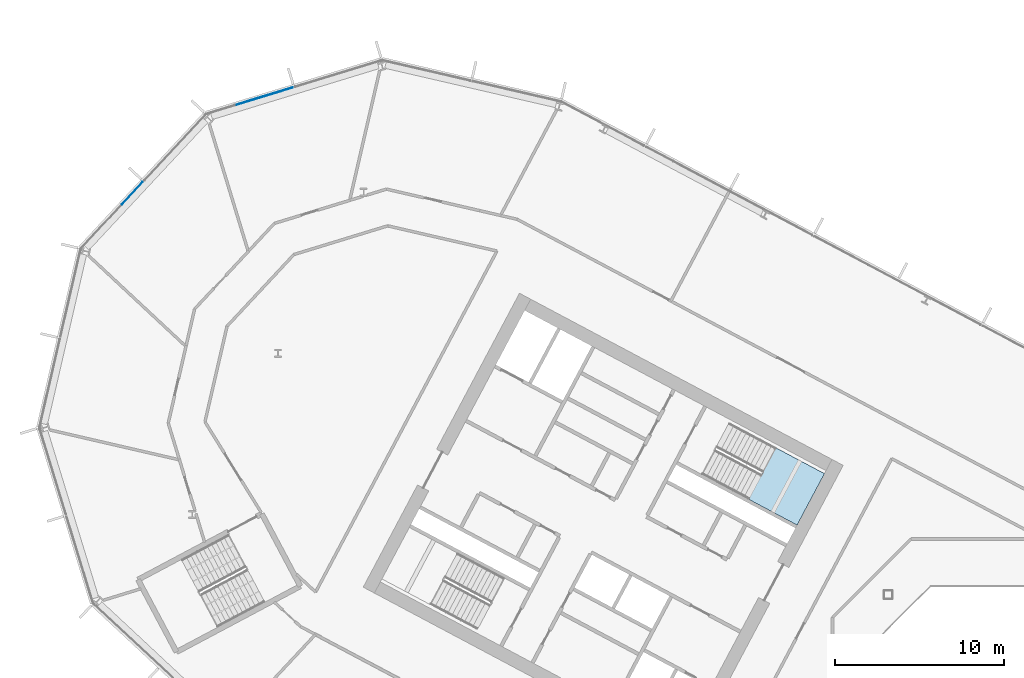
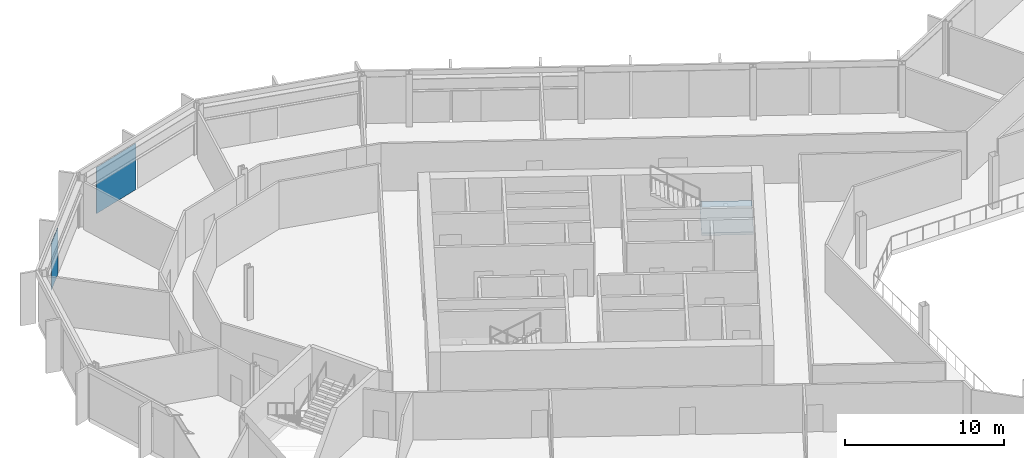
# One storey, part 11 of 28: 2 plates, 1 slab, 3 elements without a shape of their own.
"""IFC4 building model written with IfcOpenShell, lengths in metres."""

from ifc_helpers import new_model, si_unit, direction, frame, origin, origin_2d, place, context, subcontext, project, spatial, polyline, rectangle, outline, extrude, material, layer, layer_set, type_object, element, aggregate, save


model = new_model("IFC4")

# Units and contexts
model_context = context("Model", 3, precision=1e-05, world=origin(), true_north=direction((0.0, 1.0)))
body_context = subcontext(model_context, "Body", "Model", "MODEL_VIEW")
ifc_project = project(units=[si_unit("LENGTHUNIT", "METRE"), si_unit("AREAUNIT", "SQUARE_METRE"), si_unit("VOLUMEUNIT", "CUBIC_METRE"), si_unit("PLANEANGLEUNIT", "RADIAN"), si_unit("MASSUNIT", "GRAM", prefix="KILO")], contexts=[model_context])

# Site, building, storey
site_placement = place(None, origin())
site = spatial("IfcSite", under=ifc_project, at=site_placement, CompositionType="ELEMENT")
building_placement = place(site_placement, origin())
building = spatial("IfcBuilding", under=site, at=building_placement, Name="Cormorant Relay Tower", CompositionType="ELEMENT")
storey_placement = place(building_placement, frame((0.0, 0.0, 126.199951171875)))
storey = spatial("IfcBuildingStorey", under=building, at=storey_placement, Name="L25", CompositionType="ELEMENT", Elevation=126.199951171875)

# Curtain wall, plate
ifc_material_1 = material(Name="Aluminium 6063-T6 anodised bronze", Category="aluminium")
ifc_layer_1 = layer(ifc_material_1, 0.199951171875)
ifc_layer_set_1 = layer_set([ifc_layer_1], Name="CW1 unitised bronze curtain wall with vertical fins")
curtain_wall_type = type_object("IfcCurtainWallType", Name="CW1 unitised bronze curtain wall with vertical fins", PredefinedType="NOTDEFINED", material=ifc_layer_set_1)
curtain_wall_1_placement = place(storey_placement, origin())
curtain_wall_1 = element("IfcCurtainWall", 1, at=curtain_wall_1_placement, inside=storey, type_object=curtain_wall_type, Name="CW1 curtain wall 12", PredefinedType="NOTDEFINED")
ifc_material_2 = material(Name="Tinted laminated glass", Category="glass")
ifc_layer_2 = layer(ifc_material_2, 0.0400390625)
ifc_layer_set_2 = layer_set([ifc_layer_2], Name="CW1 tinted vision panel 1800 module")
plate_type_1 = type_object("IfcPlateType", Name="CW1 tinted vision panel 1800 module", PredefinedType="CURTAIN_PANEL", material=ifc_layer_set_2)
plate_1_placement = place(storey_placement, frame((-55.247314453125, 34.2607421875, 0.0), z_axis=(0.0, 0.0, 1.0), x_axis=(-0.681998360062, -0.731353701619, 0.0)))
plate_1 = element("IfcPlate", 2, at=plate_1_placement, type_object=plate_type_1, Name="CW1 panel V01", PredefinedType="CURTAIN_PANEL", context=body_context, shape_type="SweptSolid", body=[
    extrude(rectangle(XDim=1.800048828125, YDim=0.0400390625, at=origin_2d()), origin(), (0.0, 0.0, 1.0), 3.550048828125),
])
aggregate(curtain_wall_1, [plate_1])

curtain_wall_2_placement = place(storey_placement, origin())
curtain_wall_2 = element("IfcCurtainWall", 3, at=curtain_wall_2_placement, inside=storey, type_object=curtain_wall_type, Name="CW1 curtain wall 11", PredefinedType="NOTDEFINED")
ifc_material_3 = material(Name="Tinted laminated glass", Category="glass")
ifc_layer_3 = layer(ifc_material_3, 0.0400390625)
ifc_layer_set_3 = layer_set([ifc_layer_3], Name="CW1 tinted vision panel 3600 module")
plate_type_2 = type_object("IfcPlateType", Name="CW1 tinted vision panel 3600 module", PredefinedType="CURTAIN_PANEL", material=ifc_layer_set_3)
plate_2_placement = place(storey_placement, frame((-47.462158203125, 39.995361328125, 0.0), z_axis=(0.0, 0.0, 1.0), x_axis=(-0.956304755963, -0.292371704723, 0.0)))
plate_2 = element("IfcPlate", 4, at=plate_2_placement, type_object=plate_type_2, Name="CW1 panel V01", PredefinedType="CURTAIN_PANEL", context=body_context, shape_type="SweptSolid", body=[
    extrude(rectangle(XDim=3.60009765625, YDim=0.0400390625, at=origin_2d()), origin(), (0.0, 0.0, 1.0), 3.550048828125),
])
aggregate(curtain_wall_2, [plate_2])

# Stair, slab
ifc_material_4 = material(Name="Concrete 40 MPa", Category="concrete")
stair_type = type_object("IfcStairType", Name="Exit stair 1500", PredefinedType="HALF_TURN_STAIR", material=ifc_material_4)
stair_placement = place(storey_placement, origin())
stair = element("IfcStair", 5, at=stair_placement, inside=storey, type_object=stair_type, Name="L25 Stair", PredefinedType="HALF_TURN_STAIR")
ifc_material_5 = material(Name="Concrete 40 MPa", Category="concrete")
ifc_layer_4 = layer(ifc_material_5, 0.199951171875)
ifc_layer_set_4 = layer_set([ifc_layer_4], Name="Exit stair landing 200")
slab_type = type_object("IfcSlabType", Name="Exit stair landing 200", PredefinedType="LANDING", material=ifc_layer_set_4)
slab_placement = place(storey_placement, frame((0.0, 0.0, 1.800048828125)))
slab = element("IfcSlab", 6, at=slab_placement, type_object=slab_type, Name="A1 landing 1", PredefinedType="LANDING", context=body_context, shape_type="SweptSolid", body=[
    extrude(outline(polyline([(-18.7822265625, 16.1591796875), (-15.89501953125, 14.6240234375), (-14.275390625, 17.670166015625), (-17.16259765625, 19.205322265625), (-18.7822265625, 16.1591796875)])), origin(), (0.0, 0.0, 1.0), 0.199951171875),
])
aggregate(stair, [slab])

save(model, "model.ifc")
